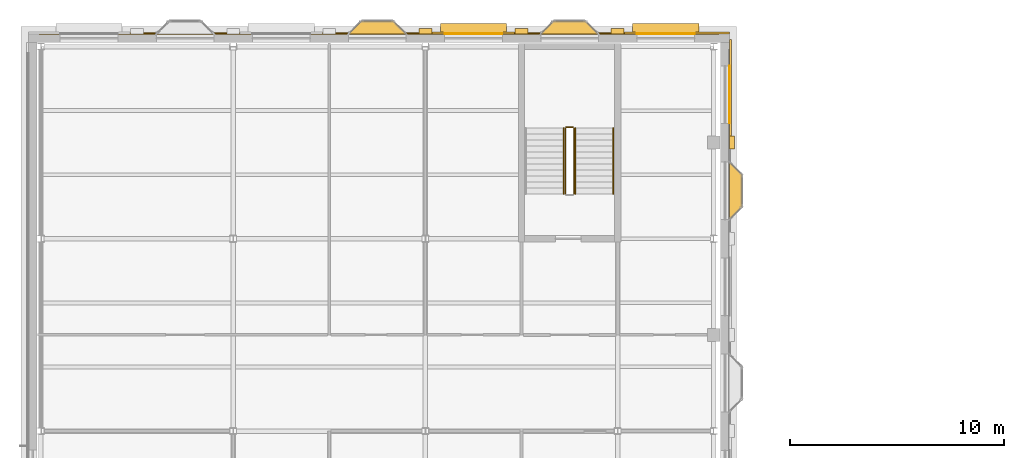
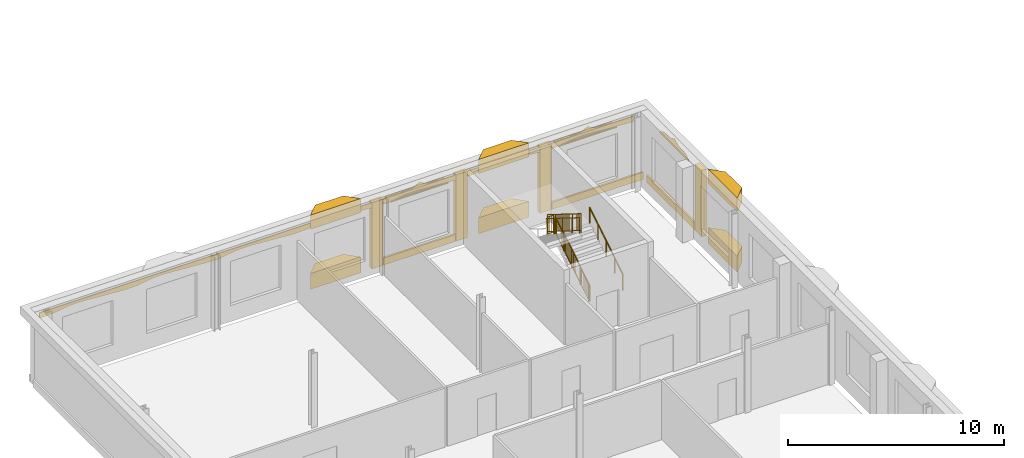
# One storey, part 62 of 62: 17 coverings, 6 railings, 2 shading devices.
"""IFC4 building model written with IfcOpenShell, lengths in metres."""

from ifc_helpers import new_model, si_unit, direction, frame, origin, origin_2d, place, context, subcontext, project, spatial, polyline, rectangle, circle, outline, extrude, material, layer, layer_set, type_object, element, save


model = new_model("IFC4")

# Units and contexts
model_context = context("Model", 3, precision=1e-05, world=origin(), true_north=direction((0.0, 1.0)))
body_context = subcontext(model_context, "Body", "Model", "MODEL_VIEW")
ifc_project = project(units=[si_unit("LENGTHUNIT", "METRE"), si_unit("AREAUNIT", "SQUARE_METRE"), si_unit("VOLUMEUNIT", "CUBIC_METRE"), si_unit("PLANEANGLEUNIT", "RADIAN"), si_unit("MASSUNIT", "GRAM", prefix="KILO")], contexts=[model_context])

# Site, building, storey
site_placement = place(None, origin())
site = spatial("IfcSite", under=ifc_project, at=site_placement, CompositionType="ELEMENT")
building_placement = place(site_placement, origin())
building = spatial("IfcBuilding", under=site, at=building_placement, Name="Hortulan Conservatory and Botanical Research Centre", CompositionType="ELEMENT")
storey_placement = place(building_placement, frame((0.0, 0.0, 15.0)))
storey = spatial("IfcBuildingStorey", under=building, at=storey_placement, Name="L03", CompositionType="ELEMENT", Elevation=15.0)

# Shading devices
ifc_material_1 = material(Name="Bronze-finished perforated aluminium", Category="aluminium")
ifc_layer_1 = layer(ifc_material_1, 0.06005859375)
ifc_layer_set_1 = layer_set([ifc_layer_1], Name="Catenary Hood 3100x500x60")
shading_device_type = type_object("IfcShadingDeviceType", Name="Catenary Hood 3100x500x60", PredefinedType="USERDEFINED", material=ifc_layer_set_1)
for number, where, z_axis, x_axis, name in (
    (1, (20.25, 72.83544921875, 3.409912109375), (0.0, 0.0, 1.0), (1.0, 0.0, 0.0), "Catenary hood"),
    (2, (29.25, 72.83544921875, 3.409912109375), (0.0, 0.0, 1.0), (1.0, 0.0, 0.0), "Catenary hood"),
):
    element("IfcShadingDevice", number, at=place(storey_placement, frame(where, z_axis=z_axis, x_axis=x_axis)), inside=storey, type_object=shading_device_type, Name=name, ObjectType="Catenary hood", PredefinedType="USERDEFINED", context=body_context, shape_type="SweptSolid", body=[
        extrude(rectangle(XDim=3.10009765625, YDim=0.5, at=origin_2d()), origin(), (0.0, 0.0, 1.0), 0.06005859375),
    ])

# Coverings
ifc_material_2 = material(Name="Faience cladding, cream glaze (non-combustible)", Category="ceramic")
ifc_layer_2 = layer(ifc_material_2, 0.030029296875)
ifc_layer_set_2 = layer_set([ifc_layer_2], Name="Faience Ogee Head Panel Cream 2700x500")
covering_type_1 = type_object("IfcCoveringType", Name="Faience Ogee Head Panel Cream 2700x500", PredefinedType="CLADDING", material=ifc_layer_set_2)
covering_1_placement = place(storey_placement, frame((18.89990234375, 72.6005859375, 3.52001953125), z_axis=(0.0, 0.0, 1.0), x_axis=(1.0, 0.0, 0.0)))
element("IfcCovering", 3, at=covering_1_placement, inside=storey, type_object=covering_type_1, Name="Ogee head panel", PredefinedType="CLADDING", context=body_context, shape_type="SweptSolid", body=[
    extrude(outline(polyline([(0.0, 0.0), (2.699951171875, 0.0), (2.699951171875, 0.080078125), (2.58740234375, 0.148681640625), (2.47509765625, 0.208251953125), (2.362548828125, 0.252197265625), (2.25, 0.278076171875), (2.137451171875, 0.28857421875), (2.02490234375, 0.2900390625), (1.91259765625, 0.291259765625), (1.800048828125, 0.3017578125), (1.6875, 0.327880859375), (1.574951171875, 0.371826171875), (1.46240234375, 0.431396484375), (1.35009765625, 0.5), (1.237548828125, 0.431396484375), (1.125, 0.371826171875), (1.012451171875, 0.327880859375), (0.89990234375, 0.3017578125), (0.78759765625, 0.291259765625), (0.675048828125, 0.2900390625), (0.5625, 0.28857421875), (0.449951171875, 0.278076171875), (0.33740234375, 0.252197265625), (0.22509765625, 0.208251953125), (0.112548828125, 0.148681640625), (0.0, 0.080078125), (0.0, 0.0)])), frame((0.0, 0.01513671875, 0.0), z_axis=(0.0, -1.0, 0.0), x_axis=(1.0, 0.0, 0.0)), (0.0, 0.0, 1.0), 0.030029296875),
])
ifc_material_3 = material(Name="Faience cladding, waratah crimson glaze (non-combustible)", Category="ceramic")
ifc_layer_3 = layer(ifc_material_3, 0.030029296875)
ifc_layer_set_3 = layer_set([ifc_layer_3], Name="Faience Ogee Head Panel Crimson 2700x500")
covering_type_2 = type_object("IfcCoveringType", Name="Faience Ogee Head Panel Crimson 2700x500", PredefinedType="CLADDING", material=ifc_layer_set_3)
for number, where, z_axis, x_axis, name in (
    (4, (27.89990234375, 72.6005859375, 3.52001953125), (0.0, 0.0, 1.0), (1.0, 0.0, 0.0), "Ogee head panel"),
    (5, (32.239990234375, 71.10009765625, 3.52001953125), (0.0, 0.0, 1.0), (0.0, -1.0, 0.0), "Ogee head panel"),
):
    element("IfcCovering", number, at=place(storey_placement, frame(where, z_axis=z_axis, x_axis=x_axis)), inside=storey, type_object=covering_type_2, Name=name, PredefinedType="CLADDING", context=body_context, shape_type="SweptSolid", body=[
        extrude(outline(polyline([(0.0, 0.0), (2.699951171875, 0.0), (2.699951171875, 0.080078125), (2.58740234375, 0.148681640625), (2.47509765625, 0.208251953125), (2.362548828125, 0.252197265625), (2.25, 0.278076171875), (2.137451171875, 0.28857421875), (2.02490234375, 0.2900390625), (1.91259765625, 0.291259765625), (1.800048828125, 0.3017578125), (1.6875, 0.327880859375), (1.574951171875, 0.371826171875), (1.46240234375, 0.431396484375), (1.35009765625, 0.5), (1.237548828125, 0.431396484375), (1.125, 0.371826171875), (1.012451171875, 0.327880859375), (0.89990234375, 0.3017578125), (0.78759765625, 0.291259765625), (0.675048828125, 0.2900390625), (0.5625, 0.28857421875), (0.449951171875, 0.278076171875), (0.33740234375, 0.252197265625), (0.22509765625, 0.208251953125), (0.112548828125, 0.148681640625), (0.0, 0.080078125), (0.0, 0.0)])), frame((0.0, 0.01513671875, 0.0), z_axis=(0.0, -1.0, 0.0), x_axis=(1.0, 0.0, 0.0)), (0.0, 0.0, 1.0), 0.030029296875),
    ])
ifc_material_4 = material(Name="Faience-faced brickwork masonry", Category="masonry")
covering_type_3 = type_object("IfcCoveringType", Name="Faience Oriel Base", PredefinedType="CLADDING", material=ifc_material_4)
covering_2_placement = place(storey_placement, origin())
element("IfcCovering", 6, at=covering_2_placement, inside=storey, type_object=covering_type_3, Name="Oriel base", PredefinedType="CLADDING", context=body_context, shape_type="SweptSolid", body=[
    extrude(outline(polyline([(14.39990234375, 72.58544921875), (15.0, 73.185546875), (16.5, 73.185546875), (17.10009765625, 72.58544921875), (14.39990234375, 72.58544921875)])), origin(), (0.0, 0.0, 1.0), 0.89990234375),
])
covering_3_placement = place(storey_placement, origin())
element("IfcCovering", 7, at=covering_3_placement, inside=storey, type_object=covering_type_3, Name="Oriel base", PredefinedType="CLADDING", context=body_context, shape_type="SweptSolid", body=[
    extrude(outline(polyline([(23.39990234375, 72.58544921875), (24.0, 73.185546875), (25.5, 73.185546875), (26.10009765625, 72.58544921875), (23.39990234375, 72.58544921875)])), origin(), (0.0, 0.0, 1.0), 0.89990234375),
])
covering_4_placement = place(storey_placement, origin())
element("IfcCovering", 8, at=covering_4_placement, inside=storey, type_object=covering_type_3, Name="Oriel base", PredefinedType="CLADDING", context=body_context, shape_type="SweptSolid", body=[
    extrude(outline(polyline([(32.22509765625, 66.60009765625), (32.824951171875, 66.0), (32.824951171875, 64.5), (32.22509765625, 63.89990234375), (32.22509765625, 66.60009765625)])), origin(), (0.0, 0.0, 1.0), 0.89990234375),
])
covering_type_4 = type_object("IfcCoveringType", Name="Faience Oriel Frieze", PredefinedType="CLADDING", material=ifc_material_4)
covering_5_placement = place(storey_placement, frame((0.0, 0.0, 3.39990234375)))
element("IfcCovering", 9, at=covering_5_placement, inside=storey, type_object=covering_type_4, Name="Oriel frieze", PredefinedType="CLADDING", context=body_context, shape_type="SweptSolid", body=[
    extrude(outline(polyline([(14.39990234375, 72.58544921875), (15.0, 73.185546875), (16.5, 73.185546875), (17.10009765625, 72.58544921875), (14.39990234375, 72.58544921875)])), origin(), (0.0, 0.0, 1.0), 0.800048828125),
])
covering_6_placement = place(storey_placement, frame((0.0, 0.0, 3.39990234375)))
element("IfcCovering", 10, at=covering_6_placement, inside=storey, type_object=covering_type_4, Name="Oriel frieze", PredefinedType="CLADDING", context=body_context, shape_type="SweptSolid", body=[
    extrude(outline(polyline([(23.39990234375, 72.58544921875), (24.0, 73.185546875), (25.5, 73.185546875), (26.10009765625, 72.58544921875), (23.39990234375, 72.58544921875)])), origin(), (0.0, 0.0, 1.0), 0.800048828125),
])
covering_7_placement = place(storey_placement, frame((0.0, 0.0, 3.39990234375)))
element("IfcCovering", 11, at=covering_7_placement, inside=storey, type_object=covering_type_4, Name="Oriel frieze", PredefinedType="CLADDING", context=body_context, shape_type="SweptSolid", body=[
    extrude(outline(polyline([(32.22509765625, 66.60009765625), (32.824951171875, 66.0), (32.824951171875, 64.5), (32.22509765625, 63.89990234375), (32.22509765625, 66.60009765625)])), origin(), (0.0, 0.0, 1.0), 0.800048828125),
])
ifc_layer_4 = layer(ifc_material_2, 0.25)
ifc_layer_set_4 = layer_set([ifc_layer_4], Name="Faience Pilaster 600x250")
covering_type_5 = type_object("IfcCoveringType", Name="Faience Pilaster 600x250", PredefinedType="CLADDING", material=ifc_layer_set_4)
for number, where, z_axis, x_axis, name in (
    (12, (18.0, 72.71044921875, 0.0), (0.0, 0.0, 1.0), (1.0, 0.0, 0.0), "Pier"),
    (13, (22.5, 72.71044921875, 0.0), (0.0, 0.0, 1.0), (1.0, 0.0, 0.0), "Pier"),
    (14, (27.0, 72.71044921875, 0.0), (0.0, 0.0, 1.0), (1.0, 0.0, 0.0), "Pier"),
    (15, (32.35009765625, 67.5, 0.0), (0.0, 0.0, 1.0), (0.0, -1.0, 0.0), "Pier"),
):
    element("IfcCovering", number, at=place(storey_placement, frame(where, z_axis=z_axis, x_axis=x_axis)), inside=storey, type_object=covering_type_5, Name=name, PredefinedType="CLADDING", context=body_context, shape_type="SweptSolid", body=[
        extrude(rectangle(XDim=0.60009765625, YDim=0.25, at=origin_2d()), origin(), (0.0, 0.0, 1.0), 3.75),
    ])
ifc_layer_5 = layer(ifc_material_3, 0.10009765625)
ifc_layer_set_5 = layer_set([ifc_layer_5], Name="Faience String Course 400x100 Crimson")
covering_type_6 = type_object("IfcCoveringType", Name="Faience String Course 400x100 Crimson", PredefinedType="CLADDING", material=ifc_layer_set_5)
covering_8_placement = place(storey_placement, frame((20.25, 72.635498046875, 0.0), z_axis=(0.0, 0.0, 1.0), x_axis=(1.0, 0.0, 0.0)))
element("IfcCovering", 16, at=covering_8_placement, inside=storey, type_object=covering_type_6, Name="String course", PredefinedType="CLADDING", context=body_context, shape_type="SweptSolid", body=[
    extrude(rectangle(XDim=3.860107421875, YDim=0.10009765625, at=origin_2d()), origin(), (0.0, 0.0, 1.0), 0.39990234375),
])
covering_9_placement = place(storey_placement, frame((29.7724609375, 72.635498046875, 0.0), z_axis=(0.0, 0.0, 1.0), x_axis=(1.0, 0.0, 0.0)))
element("IfcCovering", 17, at=covering_9_placement, inside=storey, type_object=covering_type_6, Name="String course", PredefinedType="CLADDING", context=body_context, shape_type="SweptSolid", body=[
    extrude(rectangle(XDim=4.905029296875, YDim=0.10009765625, at=origin_2d()), origin(), (0.0, 0.0, 1.0), 0.39990234375),
])
covering_10_placement = place(storey_placement, frame((32.27490234375, 70.072509765625, 0.0), z_axis=(0.0, 0.0, 1.0), x_axis=(0.0, -1.0, 0.0)))
element("IfcCovering", 18, at=covering_10_placement, inside=storey, type_object=covering_type_6, Name="String course", PredefinedType="CLADDING", context=body_context, shape_type="SweptSolid", body=[
    extrude(rectangle(XDim=4.5048828125, YDim=0.10009765625, at=origin_2d()), origin(), (0.0, 0.0, 1.0), 0.39990234375),
])

# Railings
ifc_material_5 = material(Name="Steel balustrade, bronze-charcoal paint", Category="steel")
railing_type_1 = type_object("IfcRailingType", Name="Stair Guard 1100", PredefinedType="GUARDRAIL", material=ifc_material_5)
railing_1_placement = place(storey_placement, frame((24.949951171875, 65.10009765625, 0.175048828125)))
element("IfcRailing", 19, at=railing_1_placement, inside=storey, type_object=railing_type_1, Name="Guard V2 L03 stair 1", PredefinedType="GUARDRAIL", context=body_context, shape_type="SweptSolid", body=[
    extrude(circle(Radius=0.02392578125, at=origin_2d()), frame((0.0, 0.0, 1.076171875), z_axis=(0.0, 0.847979421464, 0.530029150871), x_axis=(-1.0, 0.0, 0.0)), (0.0, 0.0, 1.0), 3.632080078125),
    extrude(circle(Radius=0.02392578125, at=origin_2d()), frame((0.0, 0.0, 0.1240234375), z_axis=(0.0, 0.847979421464, 0.530029150871), x_axis=(-1.0, 0.0, 0.0)), (0.0, 0.0, 1.0), 3.632080078125),
    extrude(circle(Radius=0.008056640625, at=origin_2d()), frame((0.0, 0.090576171875, 0.204833984375)), (0.0, 0.0, 1.0), 0.90380859375),
    extrude(circle(Radius=0.008056640625, at=origin_2d()), frame((0.0, 0.18115234375, 0.261474609375)), (0.0, 0.0, 1.0), 0.90380859375),
    extrude(circle(Radius=0.008056640625, at=origin_2d()), frame((0.0, 0.271728515625, 0.318115234375)), (0.0, 0.0, 1.0), 0.90380859375),
    extrude(circle(Radius=0.008056640625, at=origin_2d()), frame((0.0, 0.3623046875, 0.374755859375)), (0.0, 0.0, 1.0), 0.90380859375),
    extrude(circle(Radius=0.008056640625, at=origin_2d()), frame((0.0, 0.452880859375, 0.431396484375)), (0.0, 0.0, 1.0), 0.90380859375),
    extrude(circle(Radius=0.008056640625, at=origin_2d()), frame((0.0, 0.54345703125, 0.48779296875)), (0.0, 0.0, 1.0), 0.90380859375),
    extrude(circle(Radius=0.008056640625, at=origin_2d()), frame((0.0, 0.634033203125, 0.54443359375)), (0.0, 0.0, 1.0), 0.90380859375),
    extrude(circle(Radius=0.008056640625, at=origin_2d()), frame((0.0, 0.724609375, 0.60107421875)), (0.0, 0.0, 1.0), 0.90380859375),
    extrude(circle(Radius=0.008056640625, at=origin_2d()), frame((0.0, 0.815185546875, 0.65771484375)), (0.0, 0.0, 1.0), 0.90380859375),
    extrude(circle(Radius=0.008056640625, at=origin_2d()), frame((0.0, 0.90576171875, 0.71435546875)), (0.0, 0.0, 1.0), 0.90380859375),
    extrude(circle(Radius=0.008056640625, at=origin_2d()), frame((0.0, 0.996337890625, 0.77099609375)), (0.0, 0.0, 1.0), 0.90380859375),
    extrude(circle(Radius=0.008056640625, at=origin_2d()), frame((0.0, 1.0869140625, 0.82763671875)), (0.0, 0.0, 1.0), 0.90380859375),
    extrude(circle(Radius=0.008056640625, at=origin_2d()), frame((0.0, 1.177490234375, 0.88427734375)), (0.0, 0.0, 1.0), 0.90380859375),
    extrude(circle(Radius=0.008056640625, at=origin_2d()), frame((0.0, 1.26806640625, 0.94091796875)), (0.0, 0.0, 1.0), 0.90380859375),
    extrude(circle(Radius=0.008056640625, at=origin_2d()), frame((0.0, 1.358642578125, 0.99755859375)), (0.0, 0.0, 1.0), 0.90380859375),
    extrude(circle(Radius=0.008056640625, at=origin_2d()), frame((0.0, 1.44921875, 1.05419921875)), (0.0, 0.0, 1.0), 0.90380859375),
    extrude(circle(Radius=0.008056640625, at=origin_2d()), frame((0.0, 1.5400390625, 1.11083984375)), (0.0, 0.0, 1.0), 0.90380859375),
    extrude(circle(Radius=0.008056640625, at=origin_2d()), frame((0.0, 1.630615234375, 1.167236328125)), (0.0, 0.0, 1.0), 0.90380859375),
    extrude(circle(Radius=0.008056640625, at=origin_2d()), frame((0.0, 1.72119140625, 1.223876953125)), (0.0, 0.0, 1.0), 0.90380859375),
    extrude(circle(Radius=0.008056640625, at=origin_2d()), frame((0.0, 1.811767578125, 1.280517578125)), (0.0, 0.0, 1.0), 0.90380859375),
    extrude(circle(Radius=0.008056640625, at=origin_2d()), frame((0.0, 1.90234375, 1.337158203125)), (0.0, 0.0, 1.0), 0.90380859375),
    extrude(circle(Radius=0.008056640625, at=origin_2d()), frame((0.0, 1.992919921875, 1.393798828125)), (0.0, 0.0, 1.0), 0.90380859375),
    extrude(circle(Radius=0.008056640625, at=origin_2d()), frame((0.0, 2.08349609375, 1.450439453125)), (0.0, 0.0, 1.0), 0.90380859375),
    extrude(circle(Radius=0.008056640625, at=origin_2d()), frame((0.0, 2.174072265625, 1.507080078125)), (0.0, 0.0, 1.0), 0.90380859375),
    extrude(circle(Radius=0.008056640625, at=origin_2d()), frame((0.0, 2.2646484375, 1.563720703125)), (0.0, 0.0, 1.0), 0.90380859375),
    extrude(circle(Radius=0.008056640625, at=origin_2d()), frame((0.0, 2.355224609375, 1.620361328125)), (0.0, 0.0, 1.0), 0.90380859375),
    extrude(circle(Radius=0.008056640625, at=origin_2d()), frame((0.0, 2.44580078125, 1.677001953125)), (0.0, 0.0, 1.0), 0.90380859375),
    extrude(circle(Radius=0.008056640625, at=origin_2d()), frame((0.0, 2.536376953125, 1.733642578125)), (0.0, 0.0, 1.0), 0.90380859375),
    extrude(circle(Radius=0.008056640625, at=origin_2d()), frame((0.0, 2.626953125, 1.7900390625)), (0.0, 0.0, 1.0), 0.90380859375),
    extrude(circle(Radius=0.008056640625, at=origin_2d()), frame((0.0, 2.717529296875, 1.8466796875)), (0.0, 0.0, 1.0), 0.90380859375),
    extrude(circle(Radius=0.008056640625, at=origin_2d()), frame((0.0, 2.80810546875, 1.9033203125)), (0.0, 0.0, 1.0), 0.90380859375),
    extrude(circle(Radius=0.008056640625, at=origin_2d()), frame((0.0, 2.898681640625, 1.9599609375)), (0.0, 0.0, 1.0), 0.90380859375),
    extrude(circle(Radius=0.008056640625, at=origin_2d()), frame((0.0, 2.9892578125, 2.0166015625)), (0.0, 0.0, 1.0), 0.90380859375),
    extrude(circle(Radius=0.02099609375, at=origin_2d()), origin(), (0.0, 0.0, 1.0), 1.052001953125),
    extrude(circle(Radius=0.02099609375, at=origin_2d()), frame((0.0, 0.77001953125, 0.481201171875)), (0.0, 0.0, 1.0), 1.052001953125),
    extrude(circle(Radius=0.02099609375, at=origin_2d()), frame((0.0, 1.5400390625, 0.96240234375)), (0.0, 0.0, 1.0), 1.052001953125),
    extrude(circle(Radius=0.02099609375, at=origin_2d()), frame((0.0, 2.309814453125, 1.44384765625)), (0.0, 0.0, 1.0), 1.052001953125),
    extrude(circle(Radius=0.02099609375, at=origin_2d()), frame((0.0, 3.079833984375, 1.925048828125)), (0.0, 0.0, 1.0), 1.052001953125),
])
railing_2_placement = place(storey_placement, frame((24.89990234375, 68.22998046875, 2.10009765625)))
element("IfcRailing", 20, at=railing_2_placement, inside=storey, type_object=railing_type_1, Name="Guard V2 L03 stair 2", PredefinedType="GUARDRAIL", context=body_context, shape_type="SweptSolid", body=[
    extrude(circle(Radius=0.02392578125, at=origin_2d()), frame((0.0, 0.0, 1.076171875), z_axis=(-1.0, 0.0, 0.0), x_axis=(0.0, -1.0, 0.0)), (0.0, 0.0, 1.0), 0.2998046875),
    extrude(circle(Radius=0.02392578125, at=origin_2d()), frame((0.0, 0.0, 0.1240234375), z_axis=(-1.0, 0.0, 0.0), x_axis=(0.0, -1.0, 0.0)), (0.0, 0.0, 1.0), 0.2998046875),
    extrude(circle(Radius=0.008056640625, at=origin_2d()), frame((-0.099853515625, 0.0, 0.148193359375)), (0.0, 0.0, 1.0), 0.90380859375),
    extrude(circle(Radius=0.008056640625, at=origin_2d()), frame((-0.199951171875, 0.0, 0.148193359375)), (0.0, 0.0, 1.0), 0.90380859375),
    extrude(circle(Radius=0.02099609375, at=origin_2d()), origin(), (0.0, 0.0, 1.0), 1.052001953125),
    extrude(circle(Radius=0.02099609375, at=origin_2d()), frame((-0.2998046875, 0.0, 0.0)), (0.0, 0.0, 1.0), 1.052001953125),
])
railing_3_placement = place(storey_placement, frame((24.550048828125, 68.179931640625, 2.27490234375)))
element("IfcRailing", 21, at=railing_3_placement, inside=storey, type_object=railing_type_1, Name="Guard V2 L03 stair 3", PredefinedType="GUARDRAIL", context=body_context, shape_type="SweptSolid", body=[
    extrude(circle(Radius=0.02392578125, at=origin_2d()), frame((0.0, 0.0, 1.076171875), z_axis=(0.0, -0.847979421464, 0.530029150871), x_axis=(1.0, 0.0, 0.0)), (0.0, 0.0, 1.0), 3.632080078125),
    extrude(circle(Radius=0.02392578125, at=origin_2d()), frame((0.0, 0.0, 0.1240234375), z_axis=(0.0, -0.847979421464, 0.530029150871), x_axis=(1.0, 0.0, 0.0)), (0.0, 0.0, 1.0), 3.632080078125),
    extrude(circle(Radius=0.008056640625, at=origin_2d()), frame((0.0, -0.090576171875, 0.204833984375)), (0.0, 0.0, 1.0), 0.90380859375),
    extrude(circle(Radius=0.008056640625, at=origin_2d()), frame((0.0, -0.18115234375, 0.261474609375)), (0.0, 0.0, 1.0), 0.90380859375),
    extrude(circle(Radius=0.008056640625, at=origin_2d()), frame((0.0, -0.271728515625, 0.318115234375)), (0.0, 0.0, 1.0), 0.90380859375),
    extrude(circle(Radius=0.008056640625, at=origin_2d()), frame((0.0, -0.3623046875, 0.374755859375)), (0.0, 0.0, 1.0), 0.90380859375),
    extrude(circle(Radius=0.008056640625, at=origin_2d()), frame((0.0, -0.452880859375, 0.431396484375)), (0.0, 0.0, 1.0), 0.90380859375),
    extrude(circle(Radius=0.008056640625, at=origin_2d()), frame((0.0, -0.54345703125, 0.48779296875)), (0.0, 0.0, 1.0), 0.90380859375),
    extrude(circle(Radius=0.008056640625, at=origin_2d()), frame((0.0, -0.634033203125, 0.54443359375)), (0.0, 0.0, 1.0), 0.90380859375),
    extrude(circle(Radius=0.008056640625, at=origin_2d()), frame((0.0, -0.724609375, 0.60107421875)), (0.0, 0.0, 1.0), 0.90380859375),
    extrude(circle(Radius=0.008056640625, at=origin_2d()), frame((0.0, -0.815185546875, 0.65771484375)), (0.0, 0.0, 1.0), 0.90380859375),
    extrude(circle(Radius=0.008056640625, at=origin_2d()), frame((0.0, -0.90576171875, 0.71435546875)), (0.0, 0.0, 1.0), 0.90380859375),
    extrude(circle(Radius=0.008056640625, at=origin_2d()), frame((0.0, -0.996337890625, 0.77099609375)), (0.0, 0.0, 1.0), 0.90380859375),
    extrude(circle(Radius=0.008056640625, at=origin_2d()), frame((0.0, -1.0869140625, 0.82763671875)), (0.0, 0.0, 1.0), 0.90380859375),
    extrude(circle(Radius=0.008056640625, at=origin_2d()), frame((0.0, -1.177490234375, 0.88427734375)), (0.0, 0.0, 1.0), 0.90380859375),
    extrude(circle(Radius=0.008056640625, at=origin_2d()), frame((0.0, -1.26806640625, 0.94091796875)), (0.0, 0.0, 1.0), 0.90380859375),
    extrude(circle(Radius=0.008056640625, at=origin_2d()), frame((0.0, -1.358642578125, 0.99755859375)), (0.0, 0.0, 1.0), 0.90380859375),
    extrude(circle(Radius=0.008056640625, at=origin_2d()), frame((0.0, -1.44921875, 1.05419921875)), (0.0, 0.0, 1.0), 0.90380859375),
    extrude(circle(Radius=0.008056640625, at=origin_2d()), frame((0.0, -1.5400390625, 1.11083984375)), (0.0, 0.0, 1.0), 0.90380859375),
    extrude(circle(Radius=0.008056640625, at=origin_2d()), frame((0.0, -1.630615234375, 1.167236328125)), (0.0, 0.0, 1.0), 0.90380859375),
    extrude(circle(Radius=0.008056640625, at=origin_2d()), frame((0.0, -1.72119140625, 1.223876953125)), (0.0, 0.0, 1.0), 0.90380859375),
    extrude(circle(Radius=0.008056640625, at=origin_2d()), frame((0.0, -1.811767578125, 1.280517578125)), (0.0, 0.0, 1.0), 0.90380859375),
    extrude(circle(Radius=0.008056640625, at=origin_2d()), frame((0.0, -1.90234375, 1.337158203125)), (0.0, 0.0, 1.0), 0.90380859375),
    extrude(circle(Radius=0.008056640625, at=origin_2d()), frame((0.0, -1.992919921875, 1.393798828125)), (0.0, 0.0, 1.0), 0.90380859375),
    extrude(circle(Radius=0.008056640625, at=origin_2d()), frame((0.0, -2.08349609375, 1.450439453125)), (0.0, 0.0, 1.0), 0.90380859375),
    extrude(circle(Radius=0.008056640625, at=origin_2d()), frame((0.0, -2.174072265625, 1.507080078125)), (0.0, 0.0, 1.0), 0.90380859375),
    extrude(circle(Radius=0.008056640625, at=origin_2d()), frame((0.0, -2.2646484375, 1.563720703125)), (0.0, 0.0, 1.0), 0.90380859375),
    extrude(circle(Radius=0.008056640625, at=origin_2d()), frame((0.0, -2.355224609375, 1.620361328125)), (0.0, 0.0, 1.0), 0.90380859375),
    extrude(circle(Radius=0.008056640625, at=origin_2d()), frame((0.0, -2.44580078125, 1.677001953125)), (0.0, 0.0, 1.0), 0.90380859375),
    extrude(circle(Radius=0.008056640625, at=origin_2d()), frame((0.0, -2.536376953125, 1.733642578125)), (0.0, 0.0, 1.0), 0.90380859375),
    extrude(circle(Radius=0.008056640625, at=origin_2d()), frame((0.0, -2.626953125, 1.7900390625)), (0.0, 0.0, 1.0), 0.90380859375),
    extrude(circle(Radius=0.008056640625, at=origin_2d()), frame((0.0, -2.717529296875, 1.8466796875)), (0.0, 0.0, 1.0), 0.90380859375),
    extrude(circle(Radius=0.008056640625, at=origin_2d()), frame((0.0, -2.80810546875, 1.9033203125)), (0.0, 0.0, 1.0), 0.90380859375),
    extrude(circle(Radius=0.008056640625, at=origin_2d()), frame((0.0, -2.898681640625, 1.9599609375)), (0.0, 0.0, 1.0), 0.90380859375),
    extrude(circle(Radius=0.008056640625, at=origin_2d()), frame((0.0, -2.9892578125, 2.0166015625)), (0.0, 0.0, 1.0), 0.90380859375),
    extrude(circle(Radius=0.02099609375, at=origin_2d()), origin(), (0.0, 0.0, 1.0), 1.052001953125),
    extrude(circle(Radius=0.02099609375, at=origin_2d()), frame((0.0, -0.77001953125, 0.481201171875)), (0.0, 0.0, 1.0), 1.052001953125),
    extrude(circle(Radius=0.02099609375, at=origin_2d()), frame((0.0, -1.5400390625, 0.96240234375)), (0.0, 0.0, 1.0), 1.052001953125),
    extrude(circle(Radius=0.02099609375, at=origin_2d()), frame((0.0, -2.309814453125, 1.44384765625)), (0.0, 0.0, 1.0), 1.052001953125),
    extrude(circle(Radius=0.02099609375, at=origin_2d()), frame((0.0, -3.079833984375, 1.925048828125)), (0.0, 0.0, 1.0), 1.052001953125),
])
ifc_material_6 = material(Name="Bronze handrail, polished", Category="metal")
railing_type_2 = type_object("IfcRailingType", Name="Stair Handrail 900", PredefinedType="HANDRAIL", material=ifc_material_6)
for number, where, name in (
    (22, (26.800048828125, 65.10009765625, 0.175048828125), "Handrail V2 L03 stair 1"),
    (23, (25.02001953125, 65.10009765625, 0.175048828125), "Handrail V2 L03 stair 3"),
):
    element("IfcRailing", number, at=place(storey_placement, frame(where)), inside=storey, type_object=railing_type_2, Name=name, PredefinedType="HANDRAIL", context=body_context, shape_type="SweptSolid", body=[
        extrude(circle(Radius=0.02392578125, at=origin_2d()), frame((0.0, 0.0, 0.8759765625), z_axis=(0.0, 0.847979421464, 0.530029150871), x_axis=(-1.0, 0.0, 0.0)), (0.0, 0.0, 1.0), 3.632080078125),
        extrude(circle(Radius=0.02099609375, at=origin_2d()), origin(), (0.0, 0.0, 1.0), 0.851806640625),
        extrude(circle(Radius=0.02099609375, at=origin_2d()), frame((0.0, 0.77001953125, 0.481201171875)), (0.0, 0.0, 1.0), 0.851806640625),
        extrude(circle(Radius=0.02099609375, at=origin_2d()), frame((0.0, 1.5400390625, 0.96240234375)), (0.0, 0.0, 1.0), 0.851806640625),
        extrude(circle(Radius=0.02099609375, at=origin_2d()), frame((0.0, 2.309814453125, 1.44384765625)), (0.0, 0.0, 1.0), 0.851806640625),
        extrude(circle(Radius=0.02099609375, at=origin_2d()), frame((0.0, 3.079833984375, 1.925048828125)), (0.0, 0.0, 1.0), 0.851806640625),
    ])
railing_4_placement = place(storey_placement, frame((24.47998046875, 68.179931640625, 2.27490234375)))
element("IfcRailing", 24, at=railing_4_placement, inside=storey, type_object=railing_type_2, Name="Handrail V2 L03 stair 4", PredefinedType="HANDRAIL", context=body_context, shape_type="SweptSolid", body=[
    extrude(circle(Radius=0.02392578125, at=origin_2d()), frame((0.0, 0.0, 0.8759765625), z_axis=(0.0, -0.847979421464, 0.530029150871), x_axis=(1.0, 0.0, 0.0)), (0.0, 0.0, 1.0), 3.632080078125),
    extrude(circle(Radius=0.02099609375, at=origin_2d()), origin(), (0.0, 0.0, 1.0), 0.851806640625),
    extrude(circle(Radius=0.02099609375, at=origin_2d()), frame((0.0, -0.77001953125, 0.481201171875)), (0.0, 0.0, 1.0), 0.851806640625),
    extrude(circle(Radius=0.02099609375, at=origin_2d()), frame((0.0, -1.5400390625, 0.96240234375)), (0.0, 0.0, 1.0), 0.851806640625),
    extrude(circle(Radius=0.02099609375, at=origin_2d()), frame((0.0, -2.309814453125, 1.44384765625)), (0.0, 0.0, 1.0), 0.851806640625),
    extrude(circle(Radius=0.02099609375, at=origin_2d()), frame((0.0, -3.079833984375, 1.925048828125)), (0.0, 0.0, 1.0), 0.851806640625),
])

# Covering
ifc_material_7 = material(Name="Faience cladding, wattle ochre glaze (non-combustible)", Category="ceramic")
ifc_layer_6 = layer(ifc_material_7, 0.050048828125)
ifc_layer_set_6 = layer_set([ifc_layer_6], Name="Whiplash Crown Frieze Panel 50")
covering_type_7 = type_object("IfcCoveringType", Name="Whiplash Crown Frieze Panel 50", PredefinedType="CLADDING", material=ifc_layer_set_6)
covering_11_placement = place(storey_placement, frame((-0.07958984375, 72.610595703125, 3.449951171875), z_axis=(0.0, 0.0, 1.0), x_axis=(1.0, 0.0, 0.0)))
element("IfcCovering", 25, at=covering_11_placement, inside=storey, type_object=covering_type_7, Name="Whiplash crown frieze", PredefinedType="CLADDING", context=body_context, shape_type="SweptSolid", body=[
    extrude(outline(polyline([(0.0, 0.0), (0.281494140625, 0.0), (0.56298828125, 0.004150390625), (0.844482421875, 0.03369140625), (1.125732421875, 0.0751953125), (1.4072265625, 0.11669921875), (1.688720703125, 0.146240234375), (1.97021484375, 0.150146484375), (2.251708984375, 0.14990234375), (2.533203125, 0.13134765625), (2.814697265625, 0.10986328125), (3.095947265625, 0.0908203125), (3.37744140625, 0.074951171875), (3.658935546875, 0.058837890625), (3.9404296875, 0.039794921875), (4.2216796875, 0.018310546875), (4.50341796875, 0.0), (4.78466796875, 0.0), (5.066162109375, 0.004150390625), (5.34765625, 0.0341796875), (5.629150390625, 0.07568359375), (5.91064453125, 0.116943359375), (6.19189453125, 0.146484375), (6.473388671875, 0.150146484375), (6.7548828125, 0.14990234375), (7.036376953125, 0.13134765625), (7.31787109375, 0.109619140625), (7.599365234375, 0.090576171875), (7.880859375, 0.07470703125), (8.162109375, 0.058837890625), (8.443603515625, 0.03955078125), (8.72509765625, 0.01806640625), (9.006591796875, 0.0), (9.2880859375, 0.0), (9.569580078125, 0.004638671875), (9.85107421875, 0.03466796875), (10.13232421875, 0.076171875), (10.413818359375, 0.117431640625), (10.6953125, 0.146728515625), (10.976806640625, 0.150146484375), (11.25830078125, 0.149658203125), (11.539794921875, 0.130859375), (11.821044921875, 0.109375), (12.1025390625, 0.09033203125), (12.384033203125, 0.074462890625), (12.66552734375, 0.05859375), (12.947021484375, 0.039306640625), (13.228515625, 0.017822265625), (13.510009765625, 0.0), (13.791259765625, 0.0), (14.07275390625, 0.004638671875), (14.354248046875, 0.03515625), (14.6357421875, 0.07666015625), (14.917236328125, 0.117919921875), (15.198486328125, 0.146728515625), (15.47998046875, 0.150146484375), (15.761474609375, 0.1494140625), (16.04296875, 0.130859375), (16.324462890625, 0.109130859375), (16.60595703125, 0.09033203125), (16.88720703125, 0.074462890625), (17.168701171875, 0.058349609375), (17.4501953125, 0.0390625), (17.731689453125, 0.017578125), (18.01318359375, 0.0), (18.294677734375, 0.0), (18.576171875, 0.005126953125), (18.857421875, 0.035400390625), (19.138916015625, 0.0771484375), (19.42041015625, 0.118408203125), (19.701904296875, 0.147216796875), (19.9833984375, 0.150146484375), (20.264892578125, 0.149169921875), (20.54638671875, 0.13037109375), (20.82763671875, 0.10888671875), (21.109130859375, 0.090087890625), (21.390625, 0.07421875), (21.672119140625, 0.05810546875), (21.95361328125, 0.038818359375), (22.235107421875, 0.017333984375), (22.5166015625, 0.0), (22.7978515625, 0.0), (23.079345703125, 0.00537109375), (23.36083984375, 0.035888671875), (23.642333984375, 0.07763671875), (23.923583984375, 0.11865234375), (24.205078125, 0.1474609375), (24.48681640625, 0.150146484375), (24.76806640625, 0.149169921875), (25.049560546875, 0.130126953125), (25.3310546875, 0.108642578125), (25.612548828125, 0.08984375), (25.893798828125, 0.073974609375), (26.17529296875, 0.057861328125), (26.456787109375, 0.03857421875), (26.73828125, 0.01708984375), (27.019775390625, 0.0), (27.30126953125, 0.0), (27.582763671875, 0.005615234375), (27.864013671875, 0.036376953125), (28.1455078125, 0.078369140625), (28.427001953125, 0.119140625), (28.70849609375, 0.1474609375), (28.989990234375, 0.150146484375), (29.271484375, 0.14892578125), (29.552978515625, 0.1298828125), (29.834228515625, 0.1083984375), (30.11572265625, 0.089599609375), (30.397216796875, 0.07373046875), (30.6787109375, 0.0576171875), (30.960205078125, 0.038330078125), (31.24169921875, 0.016845703125), (31.52294921875, 0.0), (31.804443359375, 0.0), (31.804443359375, 0.300048828125), (0.0, 0.300048828125), (0.0, 0.0)])), frame((0.0, 0.02490234375, 0.0), z_axis=(0.0, -1.0, 0.0), x_axis=(1.0, 0.0, 0.0)), (0.0, 0.0, 1.0), 0.050048828125),
])

save(model, "model.ifc")
